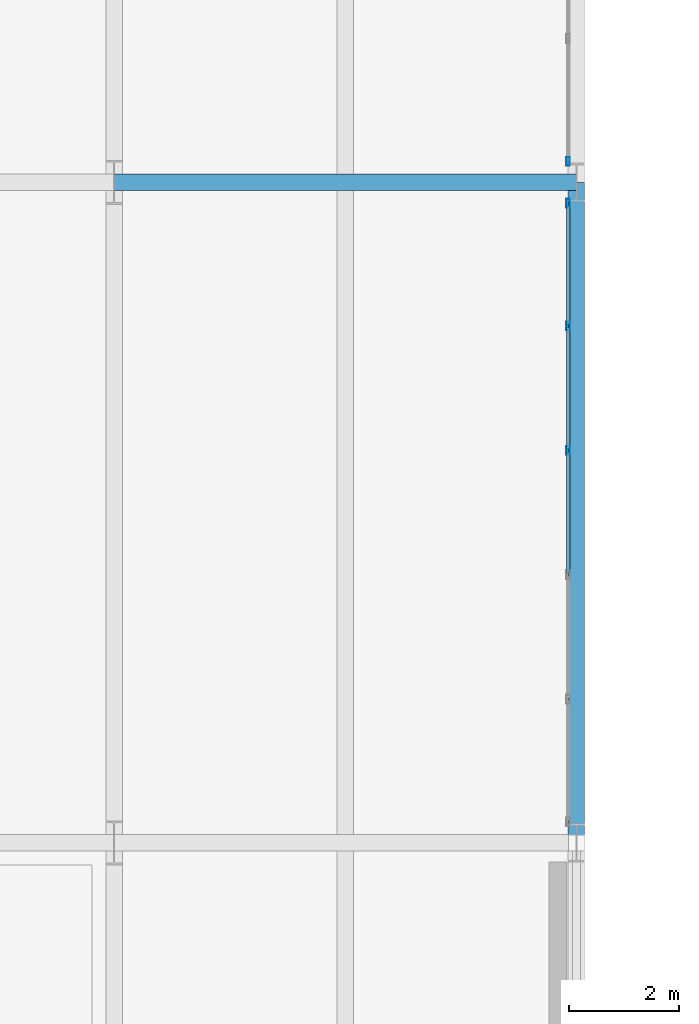
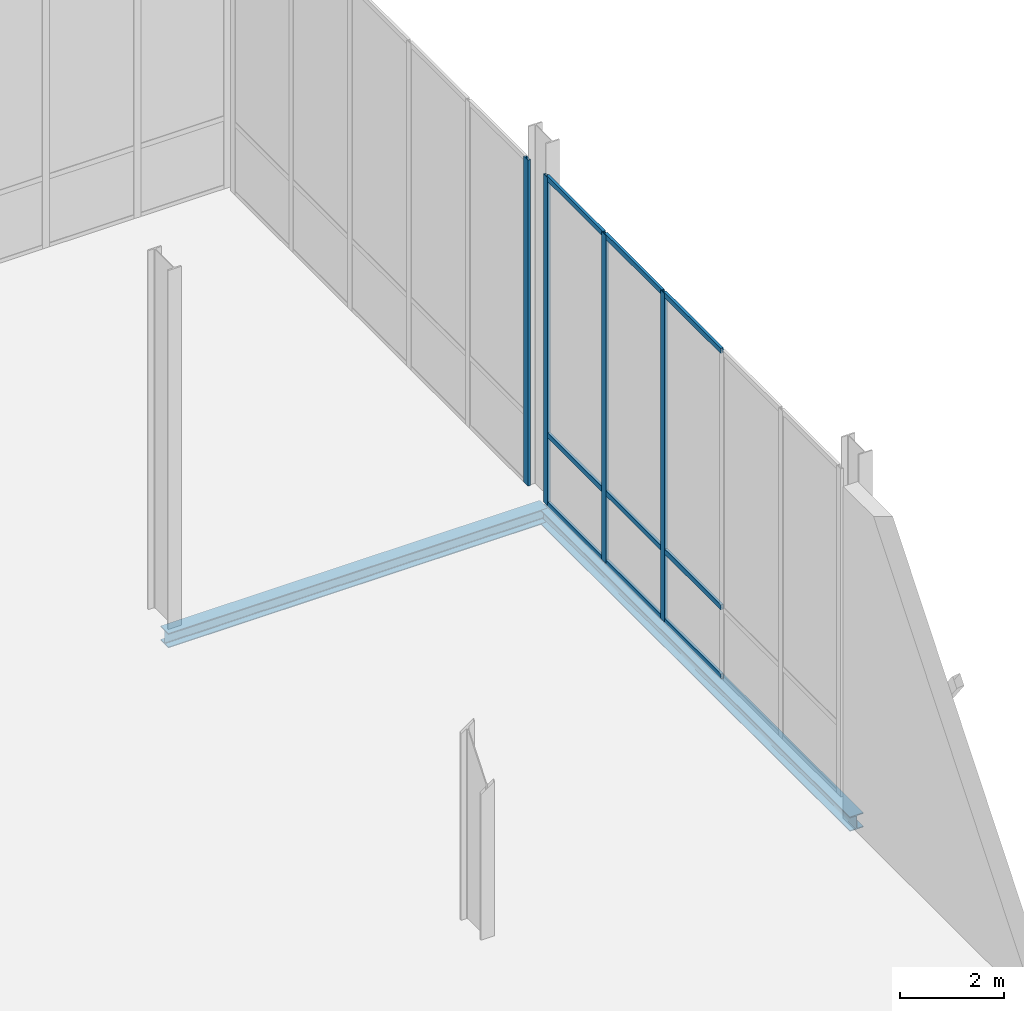
# One storey, part 38 of 131: 13 members, 2 beams, 2 elements without a shape of their own.
"""IFC4 building model written with IfcOpenShell, lengths in metres."""

from ifc_helpers import new_model, si_unit, direction, frame, origin, origin_2d, place, context, subcontext, project, spatial, hollow_rectangle, i_section, extrude, material, material_profile, profile_set, type_object, element, aggregate, save


model = new_model("IFC4")

# Units and contexts
model_context = context("Model", 3, precision=1e-05, world=origin(), true_north=direction((0.0, 1.0)))
body_context = subcontext(model_context, "Body", "Model", "MODEL_VIEW")
ifc_project = project(units=[si_unit("LENGTHUNIT", "METRE"), si_unit("AREAUNIT", "SQUARE_METRE"), si_unit("VOLUMEUNIT", "CUBIC_METRE"), si_unit("PLANEANGLEUNIT", "RADIAN"), si_unit("MASSUNIT", "GRAM", prefix="KILO")], contexts=[model_context])

# Site, building, storey
site_placement = place(None, origin())
site = spatial("IfcSite", under=ifc_project, at=site_placement, CompositionType="ELEMENT")
building_placement = place(site_placement, origin())
building = spatial("IfcBuilding", under=site, at=building_placement, Name="Veltarok Museum of Natural Sciences", CompositionType="ELEMENT")
storey_placement = place(building_placement, origin())
storey = spatial("IfcBuildingStorey", under=building, at=storey_placement, Name="L00", CompositionType="ELEMENT", Elevation=0.0)

# Curtain wall, members
ifc_material_1 = material(Name="Low-iron triple insulated glass", Category="glass")
curtain_wall_type_1 = type_object("IfcCurtainWallType", Name="Curtain Wall System CW-V2E-L00-2-1130x768 (CW-V2E L00 1130x768cm)", PredefinedType="NOTDEFINED", material=ifc_material_1)
curtain_wall_1_placement = place(storey_placement, origin())
curtain_wall_1 = element("IfcCurtainWall", 1, at=curtain_wall_1_placement, inside=storey, type_object=curtain_wall_type_1, Name="Curtain Wall CW-V2E-L00-2-1130x768 CW-0126", PredefinedType="NOTDEFINED")
ifc_material_2 = material(Name="Thermally broken anodised aluminium", Category="aluminium")
ifc_material_profile_1 = material_profile(ifc_material_2, hollow_rectangle(XDim=0.06005859375, YDim=0.1201171875, WallThickness=0.0048828125, at=origin_2d()), Name="CW TRANSOM 60x120x5")
ifc_profile_set_1 = profile_set([ifc_material_profile_1], Name="Thermally broken anodised aluminium")
member_type_1 = type_object("IfcMemberType", Name="Curtain Wall Horizontal Transom 60x120x5", PredefinedType="USERDEFINED", material=ifc_profile_set_1)
member_1_placement = place(storey_placement, frame((98.64990234375, 52.89990234375, 0.028076171875), z_axis=(0.0, 1.0, 0.0), x_axis=(-1.0, 0.0, 0.0)))
member_1 = element("IfcMember", 2, at=member_1_placement, type_object=member_type_1, Name="CW-V2E-L00-2-1130x768 transom 3.1", ObjectType="TRANSOM", PredefinedType="USERDEFINED", context=body_context, shape_type="SweptSolid", body=[
    extrude(hollow_rectangle(XDim=0.06005859375, YDim=0.1201171875, WallThickness=0.0048828125, at=origin_2d()), origin(), (0.0, 0.0, 1.0), 2.2001953125),
])
member_2_placement = place(storey_placement, frame((98.64990234375, 52.89990234375, 1.64794921875), z_axis=(0.0, 1.0, 0.0), x_axis=(-1.0, 0.0, 0.0)))
member_2 = element("IfcMember", 3, at=member_2_placement, type_object=member_type_1, Name="CW-V2E-L00-2-1130x768 transom 3.2", ObjectType="TRANSOM", PredefinedType="USERDEFINED", context=body_context, shape_type="SweptSolid", body=[
    extrude(hollow_rectangle(XDim=0.06005859375, YDim=0.1201171875, WallThickness=0.0048828125, at=origin_2d()), origin(), (0.0, 0.0, 1.0), 2.2001953125),
])
member_3_placement = place(storey_placement, frame((98.64990234375, 52.89990234375, 7.64990234375), z_axis=(0.0, 1.0, 0.0), x_axis=(-1.0, 0.0, 0.0)))
member_3 = element("IfcMember", 4, at=member_3_placement, type_object=member_type_1, Name="CW-V2E-L00-2-1130x768 transom 3.3", ObjectType="TRANSOM", PredefinedType="USERDEFINED", context=body_context, shape_type="SweptSolid", body=[
    extrude(hollow_rectangle(XDim=0.06005859375, YDim=0.1201171875, WallThickness=0.0048828125, at=origin_2d()), origin(), (0.0, 0.0, 1.0), 2.2001953125),
])
member_4_placement = place(storey_placement, frame((98.64990234375, 55.159912109375, 0.028076171875), z_axis=(0.0, 1.0, 0.0), x_axis=(-1.0, 0.0, 0.0)))
member_4 = element("IfcMember", 5, at=member_4_placement, type_object=member_type_1, Name="CW-V2E-L00-2-1130x768 transom 4.1", ObjectType="TRANSOM", PredefinedType="USERDEFINED", context=body_context, shape_type="SweptSolid", body=[
    extrude(hollow_rectangle(XDim=0.06005859375, YDim=0.1201171875, WallThickness=0.0048828125, at=origin_2d()), origin(), (0.0, 0.0, 1.0), 2.2001953125),
])
member_5_placement = place(storey_placement, frame((98.64990234375, 55.159912109375, 1.64794921875), z_axis=(0.0, 1.0, 0.0), x_axis=(-1.0, 0.0, 0.0)))
member_5 = element("IfcMember", 6, at=member_5_placement, type_object=member_type_1, Name="CW-V2E-L00-2-1130x768 transom 4.2", ObjectType="TRANSOM", PredefinedType="USERDEFINED", context=body_context, shape_type="SweptSolid", body=[
    extrude(hollow_rectangle(XDim=0.06005859375, YDim=0.1201171875, WallThickness=0.0048828125, at=origin_2d()), origin(), (0.0, 0.0, 1.0), 2.2001953125),
])
member_6_placement = place(storey_placement, frame((98.64990234375, 55.159912109375, 7.64990234375), z_axis=(0.0, 1.0, 0.0), x_axis=(-1.0, 0.0, 0.0)))
member_6 = element("IfcMember", 7, at=member_6_placement, type_object=member_type_1, Name="CW-V2E-L00-2-1130x768 transom 4.3", ObjectType="TRANSOM", PredefinedType="USERDEFINED", context=body_context, shape_type="SweptSolid", body=[
    extrude(hollow_rectangle(XDim=0.06005859375, YDim=0.1201171875, WallThickness=0.0048828125, at=origin_2d()), origin(), (0.0, 0.0, 1.0), 2.2001953125),
])
member_7_placement = place(storey_placement, frame((98.64990234375, 57.419921875, 0.028076171875), z_axis=(0.0, 1.0, 0.0), x_axis=(-1.0, 0.0, 0.0)))
member_7 = element("IfcMember", 8, at=member_7_placement, type_object=member_type_1, Name="CW-V2E-L00-2-1130x768 transom 5.1", ObjectType="TRANSOM", PredefinedType="USERDEFINED", context=body_context, shape_type="SweptSolid", body=[
    extrude(hollow_rectangle(XDim=0.06005859375, YDim=0.1201171875, WallThickness=0.0048828125, at=origin_2d()), origin(), (0.0, 0.0, 1.0), 2.170166015625),
])
member_8_placement = place(storey_placement, frame((98.64990234375, 57.419921875, 1.64794921875), z_axis=(0.0, 1.0, 0.0), x_axis=(-1.0, 0.0, 0.0)))
member_8 = element("IfcMember", 9, at=member_8_placement, type_object=member_type_1, Name="CW-V2E-L00-2-1130x768 transom 5.2", ObjectType="TRANSOM", PredefinedType="USERDEFINED", context=body_context, shape_type="SweptSolid", body=[
    extrude(hollow_rectangle(XDim=0.06005859375, YDim=0.1201171875, WallThickness=0.0048828125, at=origin_2d()), origin(), (0.0, 0.0, 1.0), 2.170166015625),
])
member_9_placement = place(storey_placement, frame((98.64990234375, 57.419921875, 7.64990234375), z_axis=(0.0, 1.0, 0.0), x_axis=(-1.0, 0.0, 0.0)))
member_9 = element("IfcMember", 10, at=member_9_placement, type_object=member_type_1, Name="CW-V2E-L00-2-1130x768 transom 5.3", ObjectType="TRANSOM", PredefinedType="USERDEFINED", context=body_context, shape_type="SweptSolid", body=[
    extrude(hollow_rectangle(XDim=0.06005859375, YDim=0.1201171875, WallThickness=0.0048828125, at=origin_2d()), origin(), (0.0, 0.0, 1.0), 2.170166015625),
])
ifc_material_profile_2 = material_profile(ifc_material_2, hollow_rectangle(XDim=0.06005859375, YDim=0.159912109375, WallThickness=0.0048828125, at=origin_2d()), Name="CW MULLION 60x160x5")
ifc_profile_set_2 = profile_set([ifc_material_profile_2], Name="Thermally broken anodised aluminium")
member_type_2 = type_object("IfcMemberType", Name="Curtain Wall Vertical Mullion 60x160x5", PredefinedType="MULLION", material=ifc_profile_set_2)
member_10_placement = place(storey_placement, frame((98.64990234375, 55.1298828125, -0.001953125), z_axis=(0.0, 0.0, 1.0), x_axis=(-1.0, 0.0, 0.0)))
member_10 = element("IfcMember", 11, at=member_10_placement, type_object=member_type_2, Name="CW-V2E-L00-2-1130x768 mullion 4", PredefinedType="MULLION", context=body_context, shape_type="SweptSolid", body=[
    extrude(hollow_rectangle(XDim=0.06005859375, YDim=0.159912109375, WallThickness=0.0048828125, at=origin_2d()), origin(), (0.0, 0.0, 1.0), 7.681884765625),
])
member_11_placement = place(storey_placement, frame((98.64990234375, 57.389892578125, -0.001953125), z_axis=(0.0, 0.0, 1.0), x_axis=(-1.0, 0.0, 0.0)))
member_11 = element("IfcMember", 12, at=member_11_placement, type_object=member_type_2, Name="CW-V2E-L00-2-1130x768 mullion 5", PredefinedType="MULLION", context=body_context, shape_type="SweptSolid", body=[
    extrude(hollow_rectangle(XDim=0.06005859375, YDim=0.159912109375, WallThickness=0.0048828125, at=origin_2d()), origin(), (0.0, 0.0, 1.0), 7.681884765625),
])
member_12_placement = place(storey_placement, frame((98.64990234375, 59.6201171875, -0.001953125), z_axis=(0.0, 0.0, 1.0), x_axis=(-1.0, 0.0, 0.0)))
member_12 = element("IfcMember", 13, at=member_12_placement, type_object=member_type_2, Name="CW-V2E-L00-2-1130x768 mullion 6", PredefinedType="MULLION", context=body_context, shape_type="SweptSolid", body=[
    extrude(hollow_rectangle(XDim=0.06005859375, YDim=0.159912109375, WallThickness=0.0048828125, at=origin_2d()), origin(), (0.0, 0.0, 1.0), 7.681884765625),
])
aggregate(curtain_wall_1, [member_10, member_11, member_12, member_1, member_2, member_3, member_4, member_5, member_6, member_7, member_8, member_9])

# Curtain wall, member
curtain_wall_type_2 = type_object("IfcCurtainWallType", Name="Curtain Wall System CW-V2E-L00-3-1130x763 (CW-V2E L00 1130x763cm)", PredefinedType="NOTDEFINED", material=ifc_material_1)
curtain_wall_2_placement = place(storey_placement, origin())
curtain_wall_2 = element("IfcCurtainWall", 14, at=curtain_wall_2_placement, inside=storey, type_object=curtain_wall_type_2, Name="Curtain Wall CW-V2E-L00-3-1130x763 CW-0127", PredefinedType="NOTDEFINED")
member_13_placement = place(storey_placement, frame((98.64990234375, 60.3798828125, -0.001953125), z_axis=(0.0, 0.0, 1.0), x_axis=(-1.0, 0.0, 0.0)))
member_13 = element("IfcMember", 15, at=member_13_placement, type_object=member_type_2, Name="CW-V2E-L00-3-1130x763 mullion 1", PredefinedType="MULLION", context=body_context, shape_type="SweptSolid", body=[
    extrude(hollow_rectangle(XDim=0.06005859375, YDim=0.159912109375, WallThickness=0.0048828125, at=origin_2d()), origin(), (0.0, 0.0, 1.0), 7.6318359375),
])
aggregate(curtain_wall_2, [member_13])

# Beams
ifc_material_3 = material(Name="Steel S355J2", Category="steel")
ifc_material_profile_3 = material_profile(ifc_material_3, i_section(OverallWidth=0.300048828125, OverallDepth=0.340087890625, WebThickness=0.011962890625, FlangeThickness=0.021484375, FilletRadius=0.027099609375, at=origin_2d()), Name="HEB 340")
ifc_profile_set_3 = profile_set([ifc_material_profile_3], Name="Steel S355J2")
beam_type = type_object("IfcBeamType", Name="Perimeter Bridge Spandrel HEB 340", PredefinedType="SPANDREL", material=ifc_profile_set_3)
beam_1_placement = place(storey_placement, frame((90.39990234375, 60.0, -0.469970703125), z_axis=(1.0, 0.0, 0.0), x_axis=(0.0, 1.0, 0.0)))
element("IfcBeam", 16, at=beam_1_placement, inside=storey, type_object=beam_type, Name="Beam BM-SP07 L00 11-12/G", PredefinedType="SPANDREL", context=body_context, shape_type="SweptSolid", body=[
    extrude(i_section(OverallWidth=0.300048828125, OverallDepth=0.340087890625, WebThickness=0.011962890625, FlangeThickness=0.021484375, FilletRadius=0.027099609375, at=origin_2d()), origin(), (0.0, 0.0, 1.0), 8.400146484375),
])
beam_2_placement = place(storey_placement, frame((98.800048828125, 48.0, -0.469970703125), z_axis=(0.0, 1.0, 0.0), x_axis=(-1.0, 0.0, 0.0)))
element("IfcBeam", 17, at=beam_2_placement, inside=storey, type_object=beam_type, Name="Beam BM-SP07 L00 12/F-G", PredefinedType="SPANDREL", context=body_context, shape_type="SweptSolid", body=[
    extrude(i_section(OverallWidth=0.300048828125, OverallDepth=0.340087890625, WebThickness=0.011962890625, FlangeThickness=0.021484375, FilletRadius=0.027099609375, at=origin_2d()), origin(), (0.0, 0.0, 1.0), 12.0),
])

save(model, "model.ifc")
